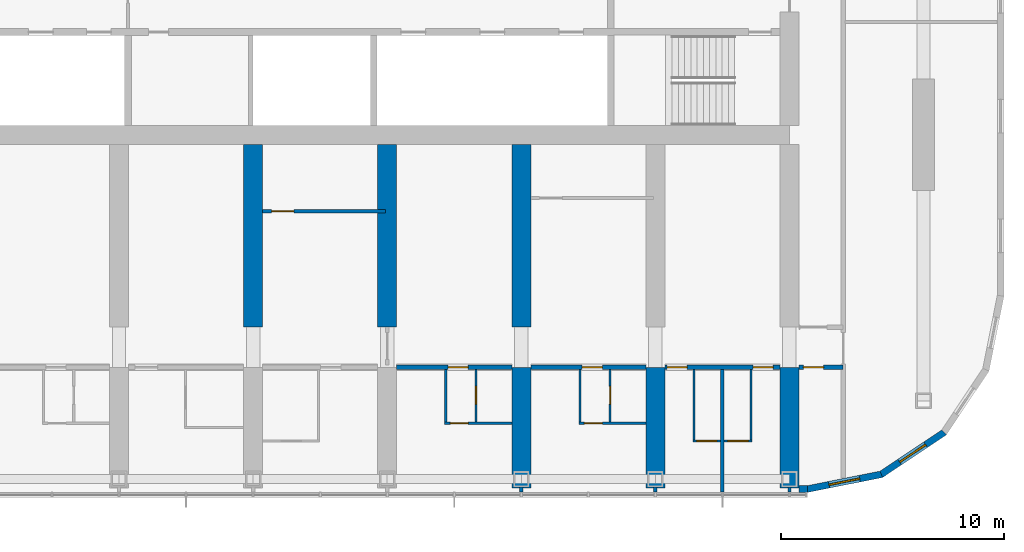
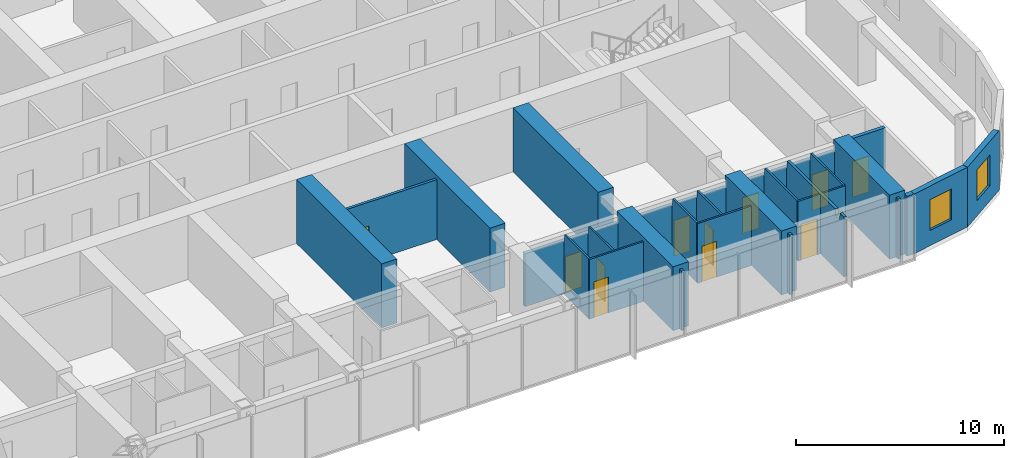
# One storey, part 12 of 22: 28 walls, 12 doors, 2 windows, 14 openings.
"""IFC4 building model written with IfcOpenShell, lengths in metres."""

from ifc_helpers import new_model, si_unit, direction, frame, frame_2d, origin, place, context, subcontext, project, spatial, polyline, rectangle, outline, extrude, material, layer, layer_set, type_object, element, fill, save


model = new_model("IFC4")

# Units and contexts
model_context = context("Model", 3, precision=1e-05, world=origin(), true_north=direction((0.0, 1.0)))
body_context = subcontext(model_context, "Body", "Model", "MODEL_VIEW")
ifc_project = project(units=[si_unit("LENGTHUNIT", "METRE"), si_unit("AREAUNIT", "SQUARE_METRE"), si_unit("VOLUMEUNIT", "CUBIC_METRE"), si_unit("PLANEANGLEUNIT", "RADIAN"), si_unit("MASSUNIT", "GRAM", prefix="KILO")], contexts=[model_context])

# Site, building, storey
site_placement = place(None, origin())
site = spatial("IfcSite", under=ifc_project, at=site_placement, CompositionType="ELEMENT")
building_placement = place(site_placement, origin())
building = spatial("IfcBuilding", under=site, at=building_placement, Name="Orbita Commons", CompositionType="ELEMENT")
storey_placement = place(building_placement, frame((0.0, 0.0, 186.10009765625)))
storey = spatial("IfcBuildingStorey", under=building, at=storey_placement, Name="L46", CompositionType="ELEMENT", Elevation=186.10009765625)

# Wall, opening, door
ifc_material_1 = material(Name="Concrete blockwork", Category="masonry")
ifc_layer_1 = layer(ifc_material_1, 0.199951171875)
ifc_layer_set_1 = layer_set([ifc_layer_1], Name="Concrete blockwork")
wall_type_1 = type_object("IfcWallType", Name="Corridor wall 200 blockwork", PredefinedType="SOLIDWALL", material=ifc_layer_set_1)
wall_1_placement = place(storey_placement, frame((48.425048828125, 15.39990234375, 0.0), z_axis=(0.0, 0.0, 1.0), x_axis=(1.0, 0.0, 0.0)))
wall_1 = element("IfcWall", 1, at=wall_1_placement, inside=storey, type_object=wall_type_1, Name="Corridor wall 200 blockwork L46", PredefinedType="SOLIDWALL", context=body_context, shape_type="SweptSolid", body=[
    extrude(outline(polyline([(0.0, 0.0), (5.14990234375, 0.0), (5.14990234375, 3.099853515625), (0.0, 3.099853515625), (0.0, 0.0)])), frame((0.0, 0.10009765625, 0.0), z_axis=(0.0, -1.0, 0.0), x_axis=(1.0, 0.0, 0.0)), (0.0, 0.0, 1.0), 0.199951171875),
])
opening_1_placement = place(wall_1_placement, frame((2.300048828125, 0.0, 0.0)))
opening_1 = element("IfcOpeningElement", 2, at=opening_1_placement, cuts=wall_1, Name="Opening D11", PredefinedType="OPENING", context=body_context, shape_type="SweptSolid", body=[
    extrude(rectangle(XDim=0.89990234375, YDim=2.10009765625, at=frame_2d((0.449951171875, 1.050048828125))), frame((0.0, 0.10986328125, 0.0), z_axis=(0.0, -1.0, 0.0), x_axis=(1.0, 0.0, 0.0)), (0.0, 0.0, 1.0), 0.219970703125),
])
ifc_material_2 = material(Name="Steel-faced fire door leaf", Category="steel")
door_type_1 = type_object("IfcDoorType", Name="Corridor door 20 min 900x2100", OperationType="SINGLE_SWING_LEFT", PredefinedType="DOOR", material=ifc_material_2)
door_1_placement = place(opening_1_placement, origin())
door_1 = element("IfcDoor", 3, at=door_1_placement, inside=storey, type_object=door_type_1, Name="Studio flat L46-S10 entrance door", OperationType="SINGLE_SWING_LEFT", OverallHeight=2.10009765625, OverallWidth=0.89990234375, PredefinedType="DOOR", context=body_context, shape_type="SweptSolid", body=[
    extrude(rectangle(XDim=0.89990234375, YDim=2.10009765625, at=frame_2d((0.449951171875, 1.050048828125))), frame((0.0, 0.02490234375, 0.0), z_axis=(0.0, -1.0, 0.0), x_axis=(1.0, 0.0, 0.0)), (0.0, 0.0, 1.0), 0.050048828125),
])
fill(opening_1, door_1)

wall_2_placement = place(storey_placement, frame((54.425048828125, 15.39990234375, 0.0), z_axis=(0.0, 0.0, 1.0), x_axis=(1.0, 0.0, 0.0)))
wall_2 = element("IfcWall", 4, at=wall_2_placement, inside=storey, type_object=wall_type_1, Name="Corridor wall 200 blockwork L46", PredefinedType="SOLIDWALL", context=body_context, shape_type="SweptSolid", body=[
    extrude(outline(polyline([(0.0, 0.0), (5.14990234375, 0.0), (5.14990234375, 3.099853515625), (0.0, 3.099853515625), (0.0, 0.0)])), frame((0.0, 0.10009765625, 0.0), z_axis=(0.0, -1.0, 0.0), x_axis=(1.0, 0.0, 0.0)), (0.0, 0.0, 1.0), 0.199951171875),
])
opening_2_placement = place(wall_2_placement, frame((2.300048828125, 0.0, 0.0)))
opening_2 = element("IfcOpeningElement", 5, at=opening_2_placement, cuts=wall_2, Name="Opening D11", PredefinedType="OPENING", context=body_context, shape_type="SweptSolid", body=[
    extrude(rectangle(XDim=0.89990234375, YDim=2.10009765625, at=frame_2d((0.449951171875, 1.050048828125))), frame((0.0, 0.10986328125, 0.0), z_axis=(0.0, -1.0, 0.0), x_axis=(1.0, 0.0, 0.0)), (0.0, 0.0, 1.0), 0.219970703125),
])
door_2_placement = place(opening_2_placement, origin())
door_2 = element("IfcDoor", 6, at=door_2_placement, inside=storey, type_object=door_type_1, Name="Studio flat L46-S12 entrance door", OperationType="SINGLE_SWING_LEFT", OverallHeight=2.10009765625, OverallWidth=0.89990234375, PredefinedType="DOOR", context=body_context, shape_type="SweptSolid", body=[
    extrude(rectangle(XDim=0.89990234375, YDim=2.10009765625, at=frame_2d((0.449951171875, 1.050048828125))), frame((0.0, 0.02490234375, 0.0), z_axis=(0.0, -1.0, 0.0), x_axis=(1.0, 0.0, 0.0)), (0.0, 0.0, 1.0), 0.050048828125),
])
fill(opening_2, door_2)

# Wall, openings, doors
wall_3_placement = place(storey_placement, frame((60.425048828125, 15.39990234375, 0.0), z_axis=(0.0, 0.0, 1.0), x_axis=(1.0, 0.0, 0.0)))
wall_3 = element("IfcWall", 7, at=wall_3_placement, inside=storey, type_object=wall_type_1, Name="Corridor wall 200 blockwork L46", PredefinedType="SOLIDWALL", context=body_context, shape_type="SweptSolid", body=[
    extrude(outline(polyline([(0.0, 0.0), (5.14990234375, 0.0), (5.14990234375, 3.099853515625), (0.0, 3.099853515625), (0.0, 0.0)])), frame((0.0, 0.10009765625, 0.0), z_axis=(0.0, -1.0, 0.0), x_axis=(1.0, 0.0, 0.0)), (0.0, 0.0, 1.0), 0.199951171875),
])
opening_3_placement = place(wall_3_placement, frame((0.10009765625, 0.0, 0.0)))
opening_3 = element("IfcOpeningElement", 8, at=opening_3_placement, cuts=wall_3, Name="Opening D11", PredefinedType="OPENING", context=body_context, shape_type="SweptSolid", body=[
    extrude(rectangle(XDim=0.89990234375, YDim=2.10009765625, at=frame_2d((0.449951171875, 1.050048828125))), frame((0.0, 0.10986328125, 0.0), z_axis=(0.0, -1.0, 0.0), x_axis=(1.0, 0.0, 0.0)), (0.0, 0.0, 1.0), 0.219970703125),
])
opening_4_placement = place(wall_3_placement, frame((3.949951171875, 0.0, 0.0)))
opening_4 = element("IfcOpeningElement", 9, at=opening_4_placement, cuts=wall_3, Name="Opening D11", PredefinedType="OPENING", context=body_context, shape_type="SweptSolid", body=[
    extrude(rectangle(XDim=0.89990234375, YDim=2.10009765625, at=frame_2d((0.449951171875, 1.050048828125))), frame((0.0, 0.10986328125, 0.0), z_axis=(0.0, -1.0, 0.0), x_axis=(1.0, 0.0, 0.0)), (0.0, 0.0, 1.0), 0.219970703125),
])
door_3_placement = place(opening_3_placement, origin())
door_3 = element("IfcDoor", 10, at=door_3_placement, inside=storey, type_object=door_type_1, Name="Cluster bedroom L46-S14 door", OperationType="SINGLE_SWING_LEFT", OverallHeight=2.10009765625, OverallWidth=0.89990234375, PredefinedType="DOOR", context=body_context, shape_type="SweptSolid", body=[
    extrude(rectangle(XDim=0.89990234375, YDim=2.10009765625, at=frame_2d((0.449951171875, 1.050048828125))), frame((0.0, 0.02490234375, 0.0), z_axis=(0.0, -1.0, 0.0), x_axis=(1.0, 0.0, 0.0)), (0.0, 0.0, 1.0), 0.050048828125),
])
fill(opening_3, door_3)
door_4_placement = place(opening_4_placement, origin())
door_4 = element("IfcDoor", 11, at=door_4_placement, inside=storey, type_object=door_type_1, Name="Cluster bedroom L46-S15 door", OperationType="SINGLE_SWING_LEFT", OverallHeight=2.10009765625, OverallWidth=0.89990234375, PredefinedType="DOOR", context=body_context, shape_type="SweptSolid", body=[
    extrude(rectangle(XDim=0.89990234375, YDim=2.10009765625, at=frame_2d((0.449951171875, 1.050048828125))), frame((0.0, 0.02490234375, 0.0), z_axis=(0.0, -1.0, 0.0), x_axis=(1.0, 0.0, 0.0)), (0.0, 0.0, 1.0), 0.050048828125),
])
fill(opening_4, door_4)

# Wall, opening, door
wall_4_placement = place(storey_placement, frame((66.425048828125, 15.39990234375, 0.0), z_axis=(0.0, 0.0, 1.0), x_axis=(1.0, 0.0, 0.0)))
wall_4 = element("IfcWall", 12, at=wall_4_placement, inside=storey, type_object=wall_type_1, Name="Corridor wall 200 blockwork L46", PredefinedType="SOLIDWALL", context=body_context, shape_type="SweptSolid", body=[
    extrude(rectangle(XDim=1.974853515625, YDim=0.199951171875, at=frame_2d((0.9873046875, 0.0))), origin(), (0.0, 0.0, 1.0), 3.5),
])
opening_5_placement = place(wall_4_placement, frame((0.199951171875, 0.0, 0.0)))
opening_5 = element("IfcOpeningElement", 13, at=opening_5_placement, cuts=wall_4, Name="Opening D05", PredefinedType="OPENING", context=body_context, shape_type="SweptSolid", body=[
    extrude(rectangle(XDim=0.89990234375, YDim=2.10009765625, at=frame_2d((0.449951171875, 1.050048828125))), frame((0.0, 0.10986328125, 0.0), z_axis=(0.0, -1.0, 0.0), x_axis=(1.0, 0.0, 0.0)), (0.0, 0.0, 1.0), 0.219970703125),
])
ifc_material_3 = material(Name="Steel-faced fire door leaf", Category="steel")
door_type_2 = type_object("IfcDoorType", Name="Service door 20 min 900x2100", OperationType="SINGLE_SWING_LEFT", PredefinedType="DOOR", material=ifc_material_3)
door_5_placement = place(opening_5_placement, origin())
door_5 = element("IfcDoor", 14, at=door_5_placement, inside=storey, type_object=door_type_2, Name="Linen store L46-KES door", OperationType="SINGLE_SWING_LEFT", OverallHeight=2.10009765625, OverallWidth=0.89990234375, PredefinedType="DOOR", context=body_context, shape_type="SweptSolid", body=[
    extrude(rectangle(XDim=0.89990234375, YDim=2.10009765625, at=frame_2d((0.449951171875, 1.050048828125))), frame((0.0, 0.02490234375, 0.0), z_axis=(0.0, -1.0, 0.0), x_axis=(1.0, 0.0, 0.0)), (0.0, 0.0, 1.0), 0.050048828125),
])
fill(opening_5, door_5)

# Walls
ifc_material_4 = material(Name="Concrete C50/60", Category="concrete")
ifc_layer_2 = layer(ifc_material_4, 0.85009765625)
ifc_layer_set_2 = layer_set([ifc_layer_2], Name="Concrete C50/60")
wall_type_2 = type_object("IfcWallType", Name="Cross wall 850 C50/60", PredefinedType="SHEAR", material=ifc_layer_set_2)
for number, where, z_axis, x_axis, name in (
    (15, (42.0, 17.199951171875, 0.0), (0.0, 0.0, 1.0), (0.0, 1.0, 0.0), "Cross wall 8 south inner L46"),
    (16, (48.0, 17.199951171875, 0.0), (0.0, 0.0, 1.0), (0.0, 1.0, 0.0), "Cross wall 9 south inner L46"),
):
    element("IfcWall", number, at=place(storey_placement, frame(where, z_axis=z_axis, x_axis=x_axis)), inside=storey, type_object=wall_type_2, Name=name, PredefinedType="SHEAR", context=body_context, shape_type="SweptSolid", body=[
        extrude(rectangle(XDim=8.175048828125, YDim=0.85009765625, at=frame_2d((4.08740234375, 0.0))), origin(), (0.0, 0.0, 1.0), 3.75),
    ])
wall_5_placement = place(storey_placement, frame((54.0, 10.0, 0.0), z_axis=(0.0, 0.0, 1.0), x_axis=(0.0, 1.0, 0.0)))
element("IfcWall", 17, at=wall_5_placement, inside=storey, type_object=wall_type_2, Name="Cross wall 10 south outer L46", PredefinedType="SHEAR", context=body_context, shape_type="SweptSolid", body=[
    extrude(rectangle(XDim=5.39990234375, YDim=0.85009765625, at=frame_2d((2.699951171875, 0.0))), origin(), (0.0, 0.0, 1.0), 3.75),
])
wall_6_placement = place(storey_placement, frame((54.0, 17.199951171875, 0.0), z_axis=(0.0, 0.0, 1.0), x_axis=(0.0, 1.0, 0.0)))
element("IfcWall", 18, at=wall_6_placement, inside=storey, type_object=wall_type_2, Name="Cross wall 10 south inner L46", PredefinedType="SHEAR", context=body_context, shape_type="SweptSolid", body=[
    extrude(rectangle(XDim=8.175048828125, YDim=0.85009765625, at=frame_2d((4.08740234375, 0.0))), origin(), (0.0, 0.0, 1.0), 3.75),
])
for number, where, z_axis, x_axis, name in (
    (19, (60.0, 10.0, 0.0), (0.0, 0.0, 1.0), (0.0, 1.0, 0.0), "Cross wall 11 south outer L46"),
    (20, (66.0, 10.0, 0.0), (0.0, 0.0, 1.0), (0.0, 1.0, 0.0), "Cross wall 12 south outer L46"),
):
    element("IfcWall", number, at=place(storey_placement, frame(where, z_axis=z_axis, x_axis=x_axis)), inside=storey, type_object=wall_type_2, Name=name, PredefinedType="SHEAR", context=body_context, shape_type="SweptSolid", body=[
        extrude(rectangle(XDim=5.39990234375, YDim=0.85009765625, at=frame_2d((2.699951171875, 0.0))), origin(), (0.0, 0.0, 1.0), 3.75),
    ])

# Wall, opening, door
ifc_material_5 = material(Name="Moisture-resistant plasterboard on steel studs", Category="steel")
ifc_layer_3 = layer(ifc_material_5, 0.10009765625)
ifc_layer_set_3 = layer_set([ifc_layer_3], Name="Moisture-resistant plasterboard on steel studs")
wall_type_3 = type_object("IfcWallType", Name="En-suite partition 100", PredefinedType="PARTITIONING", material=ifc_layer_set_3)
wall_7_placement = place(storey_placement, frame((53.574951171875, 12.89990234375, 0.0), z_axis=(0.0, 0.0, 1.0), x_axis=(-1.0, 0.0, 0.0)))
wall_7 = element("IfcWall", 21, at=wall_7_placement, inside=storey, type_object=wall_type_3, Name="En-suite partition 100 L46", PredefinedType="PARTITIONING", context=body_context, shape_type="SweptSolid", body=[
    extrude(rectangle(XDim=3.0, YDim=0.10009765625, at=frame_2d((1.5, 0.0))), origin(), (0.0, 0.0, 1.0), 3.5),
])
opening_6_placement = place(wall_7_placement, frame((1.949951171875, 0.0, 0.0)))
opening_6 = element("IfcOpeningElement", 22, at=opening_6_placement, cuts=wall_7, Name="Opening D16", PredefinedType="OPENING", context=body_context, shape_type="SweptSolid", body=[
    extrude(rectangle(XDim=0.800048828125, YDim=2.10009765625, at=frame_2d((0.39990234375, 1.050048828125))), frame((0.0, 0.06005859375, 0.0), z_axis=(0.0, -1.0, 0.0), x_axis=(1.0, 0.0, 0.0)), (0.0, 0.0, 1.0), 0.1201171875),
])
ifc_material_6 = material(Name="Laminated timber door leaf", Category="wood")
door_type_3 = type_object("IfcDoorType", Name="En-suite door 800x2100", OperationType="SINGLE_SWING_RIGHT", PredefinedType="DOOR", material=ifc_material_6)
door_6_placement = place(opening_6_placement, origin())
door_6 = element("IfcDoor", 23, at=door_6_placement, inside=storey, type_object=door_type_3, Name="Studio flat L46-S10 door", OperationType="SINGLE_SWING_RIGHT", OverallHeight=2.10009765625, OverallWidth=0.800048828125, PredefinedType="DOOR", context=body_context, shape_type="SweptSolid", body=[
    extrude(rectangle(XDim=0.800048828125, YDim=2.10009765625, at=frame_2d((0.39990234375, 1.050048828125))), frame((0.0, 0.02490234375, 0.0), z_axis=(0.0, -1.0, 0.0), x_axis=(1.0, 0.0, 0.0)), (0.0, 0.0, 1.0), 0.050048828125),
])
fill(opening_6, door_6)

# Wall
wall_8_placement = place(storey_placement, frame((50.625, 12.949951171875, 0.0), z_axis=(0.0, 0.0, 1.0), x_axis=(0.0, 1.0, 0.0)))
element("IfcWall", 24, at=wall_8_placement, inside=storey, type_object=wall_type_3, Name="En-suite partition 100 L46", PredefinedType="PARTITIONING", context=body_context, shape_type="SweptSolid", body=[
    extrude(outline(polyline([(0.0, 0.0), (2.35009765625, 0.0), (2.35009765625, 3.099853515625), (2.302001953125, 3.099853515625), (2.300048828125, 3.5), (0.0, 3.5), (0.0, 0.0)])), frame((0.0, 0.050048828125, 0.0), z_axis=(0.0, -1.0, 0.0), x_axis=(1.0, 0.0, 0.0)), (0.0, 0.0, 1.0), 0.10009765625),
])

# Wall, opening, door
wall_9_placement = place(storey_placement, frame((51.97509765625, 12.949951171875, 0.0), z_axis=(0.0, 0.0, 1.0), x_axis=(0.0, 1.0, 0.0)))
wall_9 = element("IfcWall", 25, at=wall_9_placement, inside=storey, type_object=wall_type_3, Name="En-suite partition 100 L46", PredefinedType="PARTITIONING", context=body_context, shape_type="SweptSolid", body=[
    extrude(outline(polyline([(0.0, 0.0), (2.35009765625, 0.0), (2.35009765625, 3.099853515625), (2.302001953125, 3.099853515625), (2.300048828125, 3.5), (0.0, 3.5), (0.0, 0.0)])), frame((0.0, 0.050048828125, 0.0), z_axis=(0.0, -1.0, 0.0), x_axis=(1.0, 0.0, 0.0)), (0.0, 0.0, 1.0), 0.10009765625),
])
opening_7_placement = place(wall_9_placement, frame((0.800048828125, 0.0, 0.0)))
opening_7 = element("IfcOpeningElement", 26, at=opening_7_placement, cuts=wall_9, Name="Opening D16", PredefinedType="OPENING", context=body_context, shape_type="SweptSolid", body=[
    extrude(rectangle(XDim=0.800048828125, YDim=2.10009765625, at=frame_2d((0.39990234375, 1.050048828125))), frame((0.0, 0.06005859375, 0.0), z_axis=(0.0, -1.0, 0.0), x_axis=(1.0, 0.0, 0.0)), (0.0, 0.0, 1.0), 0.1201171875),
])
door_7_placement = place(opening_7_placement, origin())
door_7 = element("IfcDoor", 27, at=door_7_placement, inside=storey, type_object=door_type_3, Name="Studio flat shower room L46-S10 door", OperationType="SINGLE_SWING_RIGHT", OverallHeight=2.10009765625, OverallWidth=0.800048828125, PredefinedType="DOOR", context=body_context, shape_type="SweptSolid", body=[
    extrude(rectangle(XDim=0.800048828125, YDim=2.10009765625, at=frame_2d((0.39990234375, 1.050048828125))), frame((0.0, 0.02490234375, 0.0), z_axis=(0.0, -1.0, 0.0), x_axis=(1.0, 0.0, 0.0)), (0.0, 0.0, 1.0), 0.050048828125),
])
fill(opening_7, door_7)

wall_10_placement = place(storey_placement, frame((59.574951171875, 12.89990234375, 0.0), z_axis=(0.0, 0.0, 1.0), x_axis=(-1.0, 0.0, 0.0)))
wall_10 = element("IfcWall", 28, at=wall_10_placement, inside=storey, type_object=wall_type_3, Name="En-suite partition 100 L46", PredefinedType="PARTITIONING", context=body_context, shape_type="SweptSolid", body=[
    extrude(rectangle(XDim=3.0, YDim=0.10009765625, at=frame_2d((1.5, 0.0))), origin(), (0.0, 0.0, 1.0), 3.5),
])
opening_8_placement = place(wall_10_placement, frame((1.949951171875, 0.0, 0.0)))
opening_8 = element("IfcOpeningElement", 29, at=opening_8_placement, cuts=wall_10, Name="Opening D16", PredefinedType="OPENING", context=body_context, shape_type="SweptSolid", body=[
    extrude(rectangle(XDim=0.800048828125, YDim=2.10009765625, at=frame_2d((0.39990234375, 1.050048828125))), frame((0.0, 0.06005859375, 0.0), z_axis=(0.0, -1.0, 0.0), x_axis=(1.0, 0.0, 0.0)), (0.0, 0.0, 1.0), 0.1201171875),
])
door_8_placement = place(opening_8_placement, origin())
door_8 = element("IfcDoor", 30, at=door_8_placement, inside=storey, type_object=door_type_3, Name="Studio flat L46-S12 door", OperationType="SINGLE_SWING_RIGHT", OverallHeight=2.10009765625, OverallWidth=0.800048828125, PredefinedType="DOOR", context=body_context, shape_type="SweptSolid", body=[
    extrude(rectangle(XDim=0.800048828125, YDim=2.10009765625, at=frame_2d((0.39990234375, 1.050048828125))), frame((0.0, 0.02490234375, 0.0), z_axis=(0.0, -1.0, 0.0), x_axis=(1.0, 0.0, 0.0)), (0.0, 0.0, 1.0), 0.050048828125),
])
fill(opening_8, door_8)

# Wall
wall_11_placement = place(storey_placement, frame((56.625, 12.949951171875, 0.0), z_axis=(0.0, 0.0, 1.0), x_axis=(0.0, 1.0, 0.0)))
element("IfcWall", 31, at=wall_11_placement, inside=storey, type_object=wall_type_3, Name="En-suite partition 100 L46", PredefinedType="PARTITIONING", context=body_context, shape_type="SweptSolid", body=[
    extrude(outline(polyline([(0.0, 0.0), (2.35009765625, 0.0), (2.35009765625, 3.099853515625), (2.302001953125, 3.099853515625), (2.300048828125, 3.5), (0.0, 3.5), (0.0, 0.0)])), frame((0.0, 0.050048828125, 0.0), z_axis=(0.0, -1.0, 0.0), x_axis=(1.0, 0.0, 0.0)), (0.0, 0.0, 1.0), 0.10009765625),
])

# Wall, opening, door
wall_12_placement = place(storey_placement, frame((57.97509765625, 12.949951171875, 0.0), z_axis=(0.0, 0.0, 1.0), x_axis=(0.0, 1.0, 0.0)))
wall_12 = element("IfcWall", 32, at=wall_12_placement, inside=storey, type_object=wall_type_3, Name="En-suite partition 100 L46", PredefinedType="PARTITIONING", context=body_context, shape_type="SweptSolid", body=[
    extrude(outline(polyline([(0.0, 0.0), (2.35009765625, 0.0), (2.35009765625, 3.099853515625), (2.302001953125, 3.099853515625), (2.300048828125, 3.5), (0.0, 3.5), (0.0, 0.0)])), frame((0.0, 0.050048828125, 0.0), z_axis=(0.0, -1.0, 0.0), x_axis=(1.0, 0.0, 0.0)), (0.0, 0.0, 1.0), 0.10009765625),
])
opening_9_placement = place(wall_12_placement, frame((0.800048828125, 0.0, 0.0)))
opening_9 = element("IfcOpeningElement", 33, at=opening_9_placement, cuts=wall_12, Name="Opening D16", PredefinedType="OPENING", context=body_context, shape_type="SweptSolid", body=[
    extrude(rectangle(XDim=0.800048828125, YDim=2.10009765625, at=frame_2d((0.39990234375, 1.050048828125))), frame((0.0, 0.06005859375, 0.0), z_axis=(0.0, -1.0, 0.0), x_axis=(1.0, 0.0, 0.0)), (0.0, 0.0, 1.0), 0.1201171875),
])
door_9_placement = place(opening_9_placement, origin())
door_9 = element("IfcDoor", 34, at=door_9_placement, inside=storey, type_object=door_type_3, Name="Studio flat shower room L46-S12 door", OperationType="SINGLE_SWING_RIGHT", OverallHeight=2.10009765625, OverallWidth=0.800048828125, PredefinedType="DOOR", context=body_context, shape_type="SweptSolid", body=[
    extrude(rectangle(XDim=0.800048828125, YDim=2.10009765625, at=frame_2d((0.39990234375, 1.050048828125))), frame((0.0, 0.02490234375, 0.0), z_axis=(0.0, -1.0, 0.0), x_axis=(1.0, 0.0, 0.0)), (0.0, 0.0, 1.0), 0.050048828125),
])
fill(opening_9, door_9)

wall_13_placement = place(storey_placement, frame((62.925048828125, 12.10009765625, 0.0), z_axis=(0.0, 0.0, 1.0), x_axis=(-1.0, 0.0, 0.0)))
wall_13 = element("IfcWall", 35, at=wall_13_placement, inside=storey, type_object=wall_type_3, Name="En-suite partition 100 L46", PredefinedType="PARTITIONING", context=body_context, shape_type="SweptSolid", body=[
    extrude(rectangle(XDim=1.25, YDim=0.10009765625, at=frame_2d((0.625, 0.0))), origin(), (0.0, 0.0, 1.0), 3.5),
])
opening_10_placement = place(wall_13_placement, frame((0.175048828125, 0.0, 0.0)))
opening_10 = element("IfcOpeningElement", 36, at=opening_10_placement, cuts=wall_13, Name="Opening D09", PredefinedType="OPENING", context=body_context, shape_type="SweptSolid", body=[
    extrude(rectangle(XDim=0.89990234375, YDim=2.10009765625, at=frame_2d((0.449951171875, 1.050048828125))), frame((0.0, 0.06005859375, 0.0), z_axis=(0.0, -1.0, 0.0), x_axis=(1.0, 0.0, 0.0)), (0.0, 0.0, 1.0), 0.1201171875),
])
ifc_material_7 = material(Name="Laminated timber door leaf", Category="wood")
door_type_4 = type_object("IfcDoorType", Name="En-suite door 900x2100", OperationType="SINGLE_SWING_RIGHT", PredefinedType="DOOR", material=ifc_material_7)
door_10_placement = place(opening_10_placement, origin())
door_10 = element("IfcDoor", 37, at=door_10_placement, inside=storey, type_object=door_type_4, Name="En-suite L46-S14 door", OperationType="SINGLE_SWING_RIGHT", OverallHeight=2.10009765625, OverallWidth=0.89990234375, PredefinedType="DOOR", context=body_context, shape_type="SweptSolid", body=[
    extrude(rectangle(XDim=0.89990234375, YDim=2.10009765625, at=frame_2d((0.449951171875, 1.050048828125))), frame((0.0, 0.02490234375, 0.0), z_axis=(0.0, -1.0, 0.0), x_axis=(1.0, 0.0, 0.0)), (0.0, 0.0, 1.0), 0.050048828125),
])
fill(opening_10, door_10)

# Wall
wall_14_placement = place(storey_placement, frame((61.72509765625, 12.14990234375, 0.0), z_axis=(0.0, 0.0, 1.0), x_axis=(0.0, 1.0, 0.0)))
element("IfcWall", 38, at=wall_14_placement, inside=storey, type_object=wall_type_3, Name="En-suite partition 100 L46", PredefinedType="PARTITIONING", context=body_context, shape_type="SweptSolid", body=[
    extrude(outline(polyline([(0.0, 0.0), (3.150146484375, 0.0), (3.14990234375, 3.099853515625), (3.10205078125, 3.099853515625), (3.10009765625, 3.5), (0.0, 3.5), (0.0, 0.0)])), frame((0.0, 0.050048828125, 0.0), z_axis=(0.0, -1.0, 0.0), x_axis=(1.0, 0.0, 0.0)), (0.0, 0.0, 1.0), 0.10009765625),
])

# Wall, opening, door
wall_15_placement = place(storey_placement, frame((64.324951171875, 12.10009765625, 0.0), z_axis=(0.0, 0.0, 1.0), x_axis=(-1.0, 0.0, 0.0)))
wall_15 = element("IfcWall", 39, at=wall_15_placement, inside=storey, type_object=wall_type_3, Name="En-suite partition 100 L46", PredefinedType="PARTITIONING", context=body_context, shape_type="SweptSolid", body=[
    extrude(rectangle(XDim=1.25, YDim=0.10009765625, at=frame_2d((0.625, 0.0))), origin(), (0.0, 0.0, 1.0), 3.5),
])
opening_11_placement = place(wall_15_placement, frame((0.175048828125, 0.0, 0.0)))
opening_11 = element("IfcOpeningElement", 40, at=opening_11_placement, cuts=wall_15, Name="Opening D09", PredefinedType="OPENING", context=body_context, shape_type="SweptSolid", body=[
    extrude(rectangle(XDim=0.89990234375, YDim=2.10009765625, at=frame_2d((0.449951171875, 1.050048828125))), frame((0.0, 0.06005859375, 0.0), z_axis=(0.0, -1.0, 0.0), x_axis=(1.0, 0.0, 0.0)), (0.0, 0.0, 1.0), 0.1201171875),
])
door_11_placement = place(opening_11_placement, origin())
door_11 = element("IfcDoor", 41, at=door_11_placement, inside=storey, type_object=door_type_4, Name="En-suite L46-S15 door", OperationType="SINGLE_SWING_RIGHT", OverallHeight=2.10009765625, OverallWidth=0.89990234375, PredefinedType="DOOR", context=body_context, shape_type="SweptSolid", body=[
    extrude(rectangle(XDim=0.89990234375, YDim=2.10009765625, at=frame_2d((0.449951171875, 1.050048828125))), frame((0.0, 0.02490234375, 0.0), z_axis=(0.0, -1.0, 0.0), x_axis=(1.0, 0.0, 0.0)), (0.0, 0.0, 1.0), 0.050048828125),
])
fill(opening_11, door_11)

# Wall
wall_16_placement = place(storey_placement, frame((64.27490234375, 12.14990234375, 0.0), z_axis=(0.0, 0.0, 1.0), x_axis=(0.0, 1.0, 0.0)))
element("IfcWall", 42, at=wall_16_placement, inside=storey, type_object=wall_type_3, Name="En-suite partition 100 L46", PredefinedType="PARTITIONING", context=body_context, shape_type="SweptSolid", body=[
    extrude(outline(polyline([(0.0, 0.0), (3.150146484375, 0.0), (3.14990234375, 3.099853515625), (3.10205078125, 3.099853515625), (3.10009765625, 3.5), (0.0, 3.5), (0.0, 0.0)])), frame((0.0, 0.050048828125, 0.0), z_axis=(0.0, -1.0, 0.0), x_axis=(1.0, 0.0, 0.0)), (0.0, 0.0, 1.0), 0.10009765625),
])

# Wall, opening, door
ifc_material_8 = material(Name="Gypsum plasterboard on steel studs", Category="steel")
ifc_layer_4 = layer(ifc_material_8, 0.14990234375)
ifc_layer_set_4 = layer_set([ifc_layer_4], Name="Gypsum plasterboard on steel studs")
wall_type_4 = type_object("IfcWallType", Name="Partition 150 plasterboard", PredefinedType="PARTITIONING", material=ifc_layer_set_4)
wall_17_placement = place(storey_placement, frame((42.425048828125, 22.375, 0.0), z_axis=(0.0, 0.0, 1.0), x_axis=(1.0, 0.0, 0.0)))
wall_17 = element("IfcWall", 43, at=wall_17_placement, inside=storey, type_object=wall_type_4, Name="Partition 150 plasterboard L46", PredefinedType="PARTITIONING", context=body_context, shape_type="SweptSolid", body=[
    extrude(rectangle(XDim=5.5, YDim=0.14990234375, at=frame_2d((2.75, 0.0))), origin(), (0.0, 0.0, 1.0), 3.5),
])
opening_12_placement = place(wall_17_placement, frame((0.39990234375, 0.0, 0.0)))
opening_12 = element("IfcOpeningElement", 44, at=opening_12_placement, cuts=wall_17, Name="Opening D18", PredefinedType="OPENING", context=body_context, shape_type="SweptSolid", body=[
    extrude(rectangle(XDim=1.0, YDim=2.10009765625, at=frame_2d((0.5, 1.050048828125))), frame((0.0, 0.0849609375, 0.0), z_axis=(0.0, -1.0, 0.0), x_axis=(1.0, 0.0, 0.0)), (0.0, 0.0, 1.0), 0.169921875),
])
ifc_material_9 = material(Name="Steel-faced fire door leaf", Category="steel")
door_type_5 = type_object("IfcDoorType", Name="Service door 20 min 1000x2100", OperationType="SINGLE_SWING_LEFT", PredefinedType="DOOR", material=ifc_material_9)
door_12_placement = place(opening_12_placement, origin())
door_12 = element("IfcDoor", 45, at=door_12_placement, inside=storey, type_object=door_type_5, Name="Refuse and recycling room L46-BDS42 door", OperationType="SINGLE_SWING_LEFT", OverallHeight=2.10009765625, OverallWidth=1.0, PredefinedType="DOOR", context=body_context, shape_type="SweptSolid", body=[
    extrude(rectangle(XDim=1.0, YDim=2.10009765625, at=frame_2d((0.5, 1.050048828125))), frame((0.0, 0.02490234375, 0.0), z_axis=(0.0, -1.0, 0.0), x_axis=(1.0, 0.0, 0.0)), (0.0, 0.0, 1.0), 0.050048828125),
])
fill(opening_12, door_12)

# Walls
for number, where, z_axis, x_axis, name in (
    (46, (54.0, 10.050048828125, 0.0), (0.0, 0.0, 1.0), (0.0, -1.0, 0.0), "Partition 150 plasterboard L46"),
    (47, (60.0, 10.050048828125, 0.0), (0.0, 0.0, 1.0), (0.0, -1.0, 0.0), "Partition 150 plasterboard L46"),
    (48, (66.0, 10.050048828125, 0.0), (0.0, 0.0, 1.0), (0.0, -1.0, 0.0), "Partition 150 plasterboard L46"),
):
    element("IfcWall", number, at=place(storey_placement, frame(where, z_axis=z_axis, x_axis=x_axis)), inside=storey, type_object=wall_type_4, Name=name, PredefinedType="PARTITIONING", context=body_context, shape_type="SweptSolid", body=[
        extrude(rectangle(XDim=0.239990234375, YDim=0.14990234375, at=frame_2d((0.1201171875, 0.0))), origin(), (0.0, 0.0, 1.0), 3.5),
    ])
ifc_material_10 = material(Name="Gypsum plasterboard on steel studs", Category="steel")
ifc_layer_5 = layer(ifc_material_10, 0.14990234375)
ifc_layer_set_5 = layer_set([ifc_layer_5], Name="Gypsum plasterboard on steel studs")
wall_type_5 = type_object("IfcWallType", Name="Party wall 150 plasterboard", PredefinedType="PARTITIONING", material=ifc_layer_set_5)
wall_18_placement = place(storey_placement, frame((63.0, 9.81005859375, 0.0), z_axis=(0.0, 0.0, 1.0), x_axis=(0.0, 1.0, 0.0)))
element("IfcWall", 49, at=wall_18_placement, inside=storey, type_object=wall_type_5, Name="Party wall 150 plasterboard L46", PredefinedType="PARTITIONING", context=body_context, shape_type="SweptSolid", body=[
    extrude(outline(polyline([(0.0, 0.0), (5.489990234375, 0.0), (5.489990234375, 3.099853515625), (5.44189453125, 3.099853515625), (5.43994140625, 3.5), (0.7919921875, 3.5), (0.7900390625, 3.099853515625), (0.39208984375, 3.099853515625), (0.389892578125, 3.5), (0.0, 3.5), (0.0, 0.0)])), frame((0.0, 0.074951171875, 0.0), z_axis=(0.0, -1.0, 0.0), x_axis=(1.0, 0.0, 0.0)), (0.0, 0.0, 1.0), 0.14990234375),
])

# Wall, opening, window
ifc_material_11 = material(Name="Precast concrete C40/50, white board-marked finish", Category="concrete")
ifc_layer_6 = layer(ifc_material_11, 0.300048828125)
ifc_layer_set_6 = layer_set([ifc_layer_6], Name="Precast concrete C40/50, white board-marked finish")
wall_type_6 = type_object("IfcWallType", Name="Precast concrete end shield 300", PredefinedType="SOLIDWALL", material=ifc_layer_set_6)
wall_19_placement = place(storey_placement, frame((66.800048828125, 9.949951171875, 0.0), z_axis=(0.0, 0.0, 1.0), x_axis=(0.98078325777, 0.195100490205, 0.0)))
wall_19 = element("IfcWall", 50, at=wall_19_placement, inside=storey, type_object=wall_type_6, Name="End shield SE chord 1 L46", PredefinedType="SOLIDWALL", context=body_context, shape_type="SweptSolid", body=[
    extrude(outline(polyline([(-0.02978515625, -0.14990234375), (3.40478515625, -0.14990234375), (3.34521484375, 0.14990234375), (0.02978515625, 0.14990234375), (-0.02978515625, -0.14990234375)])), origin(), (0.0, 0.0, 1.0), 3.5),
])
opening_13_placement = place(wall_19_placement, frame((0.987548828125, 0.0, 0.89990234375)))
opening_13 = element("IfcOpeningElement", 51, at=opening_13_placement, cuts=wall_19, Name="Opening W02", PredefinedType="OPENING", context=body_context, shape_type="SweptSolid", body=[
    extrude(rectangle(XDim=1.39990234375, YDim=1.800048828125, at=frame_2d((0.699951171875, 0.89990234375))), frame((0.0, 0.159912109375, 0.0), z_axis=(0.0, -1.0, 0.0), x_axis=(1.0, 0.0, 0.0)), (0.0, 0.0, 1.0), 0.320068359375),
])
ifc_material_12 = material(Name="Aluminium frame, clear double glazing", Category="aluminium")
window_type = type_object("IfcWindowType", Name="Deep-set window 1400x1800", PartitioningType="SINGLE_PANEL", PredefinedType="WINDOW", material=ifc_material_12)
window_1_placement = place(opening_13_placement, origin())
window_1 = element("IfcWindow", 52, at=window_1_placement, inside=storey, type_object=window_type, Name="Window L46-SE0", OverallHeight=1.800048828125, OverallWidth=1.39990234375, PartitioningType="SINGLE_PANEL", PredefinedType="WINDOW", context=body_context, shape_type="SweptSolid", body=[
    extrude(rectangle(XDim=1.39990234375, YDim=1.800048828125, at=frame_2d((0.699951171875, 0.89990234375))), frame((0.0, 0.030029296875, 0.0), z_axis=(0.0, -1.0, 0.0), x_axis=(1.0, 0.0, 0.0)), (0.0, 0.0, 1.0), 0.06005859375),
])
fill(opening_13, window_1)

wall_20_placement = place(storey_placement, frame((70.110107421875, 10.6083984375, 0.0), z_axis=(0.0, 0.0, 1.0), x_axis=(0.831493450887, 0.555534554399, 0.0)))
wall_20 = element("IfcWall", 53, at=wall_20_placement, inside=storey, type_object=wall_type_6, Name="End shield SE chord 2 L46", PredefinedType="SOLIDWALL", context=body_context, shape_type="SweptSolid", body=[
    extrude(outline(polyline([(-0.02978515625, -0.14990234375), (3.405029296875, -0.14990234375), (3.345458984375, 0.14990234375), (0.02978515625, 0.14990234375), (-0.02978515625, -0.14990234375)])), origin(), (0.0, 0.0, 1.0), 3.5),
])
opening_14_placement = place(wall_20_placement, frame((0.987548828125, 0.0, 0.89990234375)))
opening_14 = element("IfcOpeningElement", 54, at=opening_14_placement, cuts=wall_20, Name="Opening W02", PredefinedType="OPENING", context=body_context, shape_type="SweptSolid", body=[
    extrude(rectangle(XDim=1.39990234375, YDim=1.800048828125, at=frame_2d((0.699951171875, 0.89990234375))), frame((0.0, 0.159912109375, 0.0), z_axis=(0.0, -1.0, 0.0), x_axis=(1.0, 0.0, 0.0)), (0.0, 0.0, 1.0), 0.320068359375),
])
window_2_placement = place(opening_14_placement, origin())
window_2 = element("IfcWindow", 55, at=window_2_placement, inside=storey, type_object=window_type, Name="Window L46-SE1", OverallHeight=1.800048828125, OverallWidth=1.39990234375, PartitioningType="SINGLE_PANEL", PredefinedType="WINDOW", context=body_context, shape_type="SweptSolid", body=[
    extrude(rectangle(XDim=1.39990234375, YDim=1.800048828125, at=frame_2d((0.699951171875, 0.89990234375))), frame((0.0, 0.030029296875, 0.0), z_axis=(0.0, -1.0, 0.0), x_axis=(1.0, 0.0, 0.0)), (0.0, 0.0, 1.0), 0.06005859375),
])
fill(opening_14, window_2)

# Wall
wall_21_placement = place(storey_placement, frame((66.800048828125, 9.949951171875, 0.0), z_axis=(0.0, 0.0, 1.0), x_axis=(-1.0, 0.0, 0.0)))
element("IfcWall", 56, at=wall_21_placement, inside=storey, type_object=wall_type_6, Name="End shield SE closer L46", PredefinedType="SOLIDWALL", context=body_context, shape_type="SweptSolid", body=[
    extrude(rectangle(XDim=0.375, YDim=0.300048828125, at=frame_2d((0.1875, 0.0))), origin(), (0.0, 0.0, 1.0), 3.5),
])

save(model, "model.ifc")
